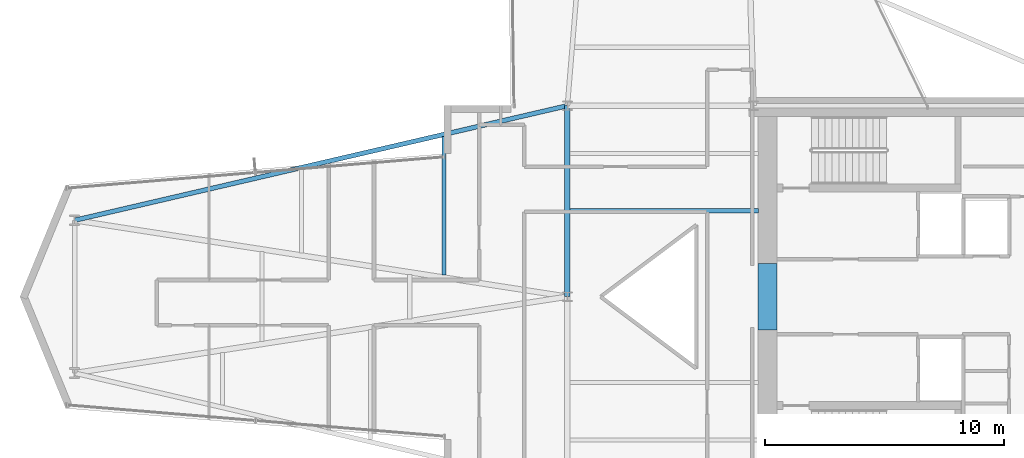
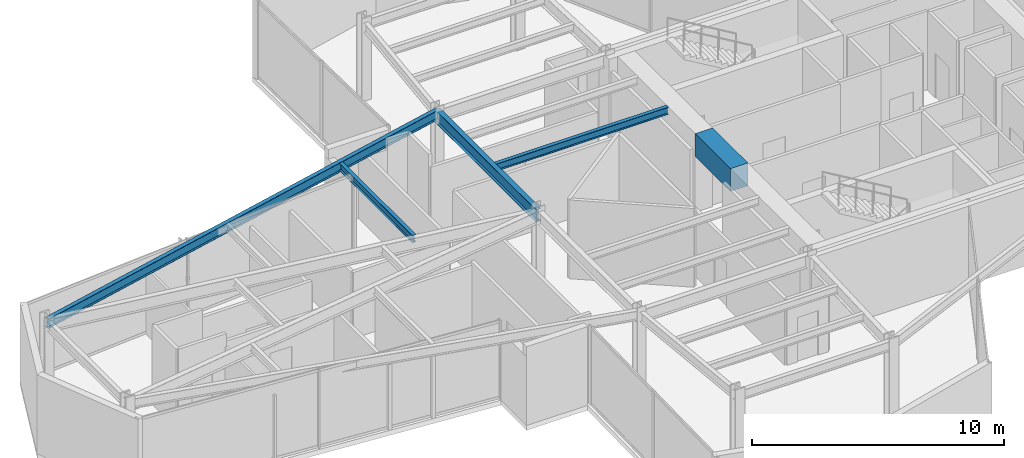
# One storey, part 9 of 25: 5 beams.
"""IFC4 building model written with IfcOpenShell, lengths in metres."""

from ifc_helpers import new_model, si_unit, direction, frame, origin, origin_2d, place, context, subcontext, project, spatial, rectangle, i_section, extrude, material, material_profile, profile_set, type_object, element, save


model = new_model("IFC4")

# Units and contexts
model_context = context("Model", 3, precision=1e-05, world=origin(), true_north=direction((0.0, 1.0)))
body_context = subcontext(model_context, "Body", "Model", "MODEL_VIEW")
ifc_project = project(units=[si_unit("LENGTHUNIT", "METRE"), si_unit("AREAUNIT", "SQUARE_METRE"), si_unit("VOLUMEUNIT", "CUBIC_METRE"), si_unit("PLANEANGLEUNIT", "RADIAN"), si_unit("MASSUNIT", "GRAM", prefix="KILO")], contexts=[model_context])

# Site, building, storey
site_placement = place(None, origin())
site = spatial("IfcSite", under=ifc_project, at=site_placement, CompositionType="ELEMENT")
building_placement = place(site_placement, origin())
building = spatial("IfcBuilding", under=site, at=building_placement, Name="Veymaron Broadcast Tower", CompositionType="ELEMENT")
storey_placement = place(building_placement, frame((0.0, 0.0, 116.85009765625)))
storey = spatial("IfcBuildingStorey", under=building, at=storey_placement, Name="L26", CompositionType="ELEMENT", Elevation=116.85009765625)

# Beams
ifc_material_1 = material(Name="Concrete C70/85", Category="concrete")
ifc_material_profile_1 = material_profile(ifc_material_1, rectangle(XDim=0.800048828125, YDim=1.10009765625, at=origin_2d()), Name="RC800X1100")
ifc_profile_set_1 = profile_set([ifc_material_profile_1], Name="Concrete C70/85")
beam_type_1 = type_object("IfcBeamType", Name="BM-CB1", PredefinedType="LINTEL", material=ifc_profile_set_1)
beam_1_placement = place(storey_placement, frame((39.580078125, 22.60009765625, 3.260009765625), z_axis=(0.0, 1.0, 0.0), x_axis=(-1.0, 0.0, 0.0)))
element("IfcBeam", 1, at=beam_1_placement, inside=storey, type_object=beam_type_1, Name="L26 Core Wall west coupling beam", PredefinedType="LINTEL", context=body_context, shape_type="SweptSolid", body=[
    extrude(rectangle(XDim=0.800048828125, YDim=1.10009765625, at=origin_2d()), origin(), (0.0, 0.0, 1.0), 2.7998046875),
])
ifc_material_2 = material(Name="Structural steel ASTM A992 Gr 50", Category="steel")
ifc_material_profile_2 = material_profile(ifc_material_2, i_section(OverallWidth=0.22802734375, OverallDepth=0.60791015625, WebThickness=0.01123046875, FlangeThickness=0.017333984375, at=origin_2d()), Name="W610X113")
ifc_profile_set_2 = profile_set([ifc_material_profile_2], Name="Structural steel ASTM A992 Gr 50")
beam_type_2 = type_object("IfcBeamType", Name="BM-FG2", PredefinedType="BEAM", material=ifc_profile_set_2)
beam_2_placement = place(storey_placement, frame((31.199951171875, 24.0, 3.505859375), z_axis=(0.0, 1.0, 0.0), x_axis=(-1.0, 0.0, 0.0)))
element("IfcBeam", 2, at=beam_2_placement, inside=storey, type_object=beam_type_2, Name="L26 primary structural floor girder", PredefinedType="BEAM", context=body_context, shape_type="SweptSolid", body=[
    extrude(i_section(OverallWidth=0.22802734375, OverallDepth=0.60791015625, WebThickness=0.01123046875, FlangeThickness=0.017333984375, at=origin_2d()), origin(), (0.0, 0.0, 1.0), 8.0),
])
ifc_material_profile_3 = material_profile(ifc_material_2, i_section(OverallWidth=0.1708984375, OverallDepth=0.35498046875, WebThickness=0.007080078125, FlangeThickness=0.01171875, at=origin_2d()), Name="W360X51")
ifc_profile_set_3 = profile_set([ifc_material_profile_3], Name="Structural steel ASTM A992 Gr 50")
beam_type_3 = type_object("IfcBeamType", Name="BM-JS2", PredefinedType="JOIST", material=ifc_profile_set_3)
beam_3_placement = place(storey_placement, frame((26.0400390625, 24.89990234375, 3.63232421875), z_axis=(0.0, 1.0, 0.0), x_axis=(-1.0, 0.0, 0.0)))
element("IfcBeam", 3, at=beam_3_placement, inside=storey, type_object=beam_type_3, Name="L26 Arm-A secondary joist 2N", PredefinedType="JOIST", context=body_context, shape_type="SweptSolid", body=[
    extrude(i_section(OverallWidth=0.1708984375, OverallDepth=0.35498046875, WebThickness=0.007080078125, FlangeThickness=0.01171875, at=origin_2d()), origin(), (0.0, 0.0, 1.0), 5.800048828125),
])
beam_4_placement = place(storey_placement, frame((31.300048828125, 27.60009765625, 3.63232421875), z_axis=(1.0, 0.0, 0.0), x_axis=(0.0, 1.0, 0.0)))
element("IfcBeam", 4, at=beam_4_placement, inside=storey, type_object=beam_type_3, Name="L26 Hub secondary joist 3", PredefinedType="JOIST", context=body_context, shape_type="SweptSolid", body=[
    extrude(i_section(OverallWidth=0.1708984375, OverallDepth=0.35498046875, WebThickness=0.007080078125, FlangeThickness=0.01171875, at=origin_2d()), origin(), (0.0, 0.0, 1.0), 7.89990234375),
])
ifc_material_profile_4 = material_profile(ifc_material_2, i_section(OverallWidth=0.19091796875, OverallDepth=0.4599609375, WebThickness=0.010009765625, FlangeThickness=0.01611328125, at=origin_2d()), Name="W460X82")
ifc_profile_set_4 = profile_set([ifc_material_profile_4], Name="Structural steel ASTM A992 Gr 50")
beam_type_4 = type_object("IfcBeamType", Name="BM-SP1", PredefinedType="SPANDREL", material=ifc_profile_set_4)
beam_5_placement = place(storey_placement, frame((10.56005859375, 27.199951171875, 3.579833984375), z_axis=(0.974007258565, 0.226516799075, 0.0), x_axis=(-0.226516799075, 0.974007258565, 0.0)))
element("IfcBeam", 5, at=beam_5_placement, inside=storey, type_object=beam_type_4, Name="L26 primary structural floor girder", PredefinedType="SPANDREL", context=body_context, shape_type="SweptSolid", body=[
    extrude(i_section(OverallWidth=0.19091796875, OverallDepth=0.4599609375, WebThickness=0.010009765625, FlangeThickness=0.01611328125, at=origin_2d()), origin(), (0.0, 0.0, 1.0), 21.190673828125),
])

save(model, "model.ifc")
